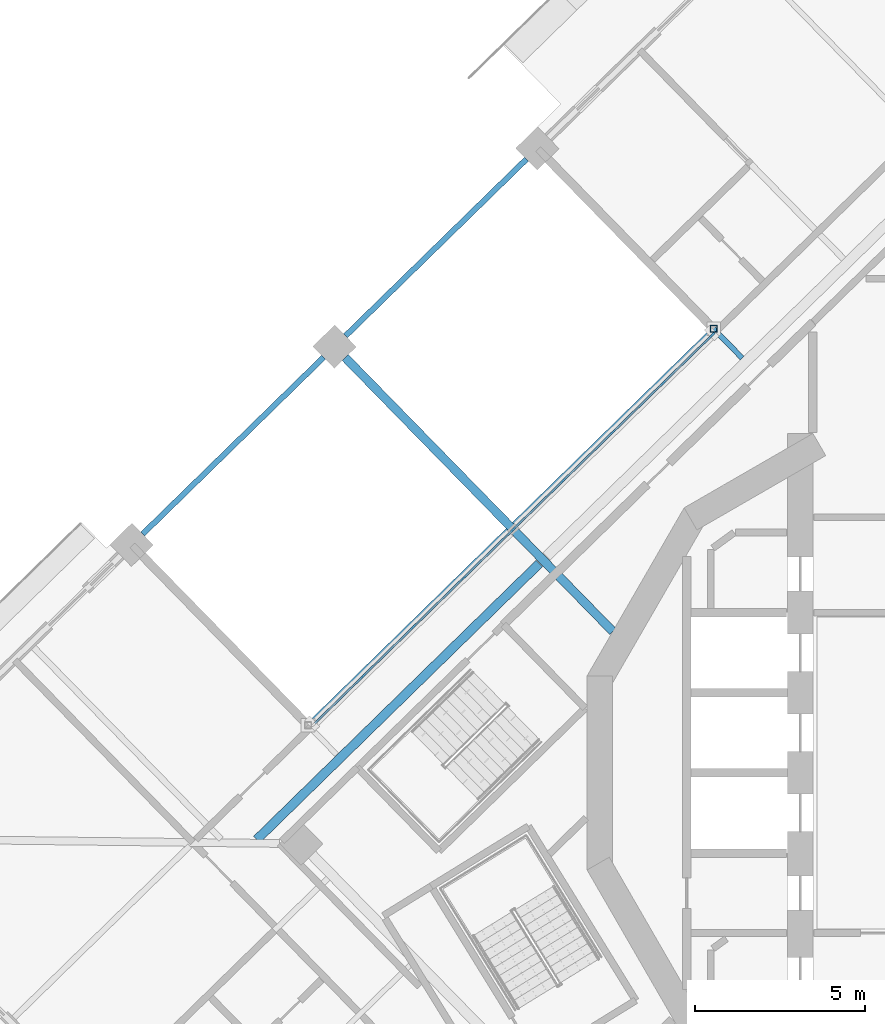
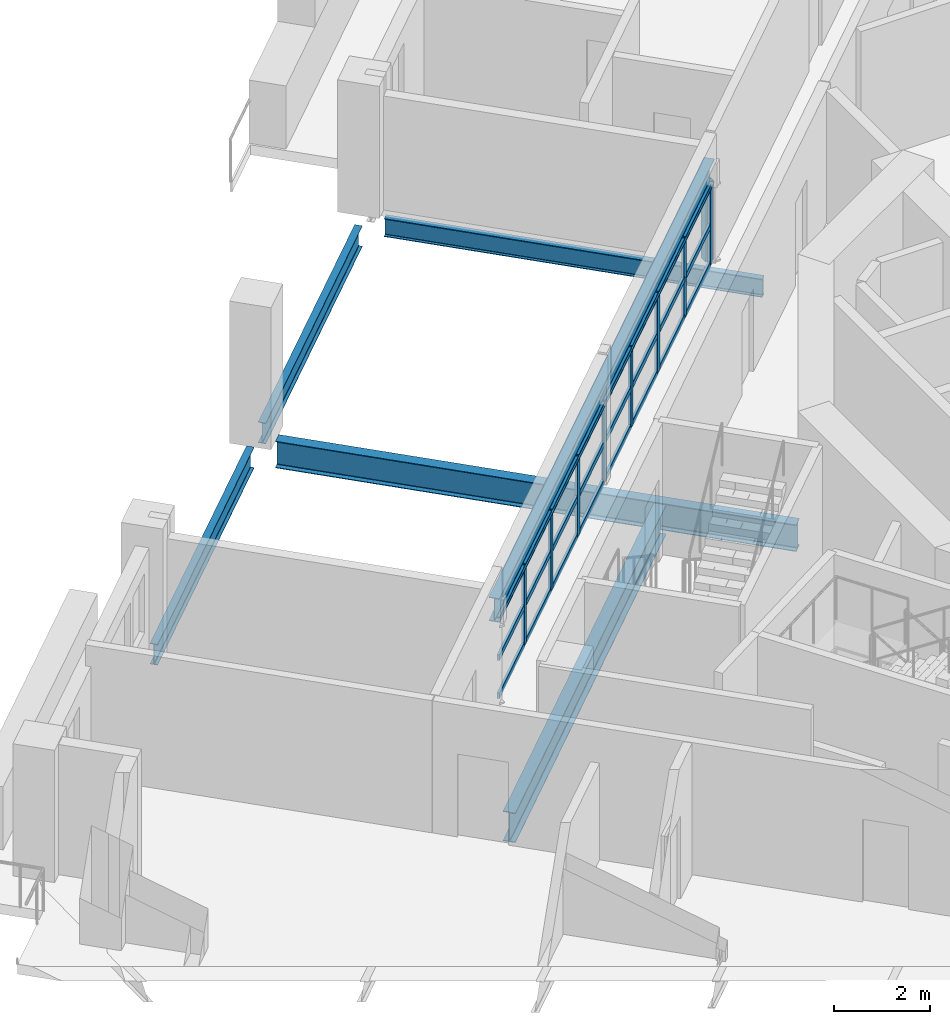
# One storey, part 4 of 21: 33 members, 6 beams, 1 element without a shape of its own.
"""IFC4 building model written with IfcOpenShell, lengths in metres."""

import ifcopenshell
import ifcopenshell.guid

model = None  # the IFC model being written
_history = None  # IfcOwnerHistory: only IFC2X3 demands one
_inside = {}  # id of a spatial element -> (the spatial element, [elements in it])
_under = {}  # id of a project, library or spatial element -> (it, [spatial elements below it])
_declared = {}  # id of a project -> (the project, [libraries it declares])
_typed = {}  # id of a type object -> (the type object, [elements of that type])
_made_of = {}  # id of a material, layer set ... -> (it, [elements and type objects made of it])


def new_model(schema):
    """Start an empty IFC model of exactly this schema.

    Asked for "IFC4X3", IfcOpenShell would pick the latest addendum, in which some entities
    have other attributes; the version numbers below select the first issue.
    IFC2X3 requires an IfcOwnerHistory on every rooted entity: one is made here for all.
    """
    global model, _history
    if schema == "IFC4X3":
        model = ifcopenshell.file(schema_version=(4, 3, 0, 0))
    else:
        model = ifcopenshell.file(schema=schema)
    _inside.clear()
    _under.clear()
    _declared.clear()
    _typed.clear()
    _made_of.clear()
    _history = None
    if model.schema == "IFC2X3":
        org = make("IfcOrganization", Name="unknown")
        user = make(
            "IfcPersonAndOrganization",
            ThePerson=make("IfcPerson", FamilyName="unknown"),
            TheOrganization=org,
        )
        app = make(
            "IfcApplication",
            ApplicationDeveloper=org,
            Version="unknown",
            ApplicationFullName="unknown",
            ApplicationIdentifier="unknown",
        )
        _history = make(
            "IfcOwnerHistory",
            OwningUser=user,
            OwningApplication=app,
            ChangeAction="ADDED",
            CreationDate=0,
        )
    return model


def make(cls, **values):
    """One entity of the class cls with the attributes given. An attribute that is None is left unset."""
    return model.create_entity(
        cls, **{name: value for name, value in values.items() if value is not None}
    )


def rooted(cls, **values):
    """An entity with a GlobalId (a new one), such as an element, a storey or a relation."""
    return make(cls, GlobalId=ifcopenshell.guid.new(), OwnerHistory=_history, **values)


def si_unit(unit_type, name, prefix=None):
    """IfcSIUnit, for example si_unit("LENGTHUNIT", "METRE", prefix="MILLI")."""
    return make("IfcSIUnit", UnitType=unit_type, Prefix=prefix, Name=name)


def assignment(units):
    """IfcUnitAssignment: the units of a project."""
    return None if units is None else make("IfcUnitAssignment", Units=units)


def point(xyz):
    """IfcCartesianPoint."""
    return None if xyz is None else make("IfcCartesianPoint", Coordinates=xyz)


def direction(xyz):
    """IfcDirection."""
    return None if xyz is None else make("IfcDirection", DirectionRatios=xyz)


def frame(location, z_axis=None, x_axis=None):
    """IfcAxis2Placement3D, a coordinate frame: its origin and axes. An axis left out is left unset."""
    return make(
        "IfcAxis2Placement3D",
        Location=point(location),
        Axis=direction(z_axis),
        RefDirection=direction(x_axis),
    )


def frame_2d(location, x_axis=None):
    """IfcAxis2Placement2D, a coordinate frame in the plane: its origin and x axis."""
    return make(
        "IfcAxis2Placement2D", Location=point(location), RefDirection=direction(x_axis)
    )


def origin():
    """The frame at (0, 0, 0) with its axes left unset."""
    return frame((0.0, 0.0, 0.0))


def origin_2d():
    """The frame at (0, 0) in the plane with its x axis left unset."""
    return frame_2d((0.0, 0.0))


def place(relative_to, where):
    """IfcLocalPlacement: puts the frame where relative to a parent placement (None: the world)."""
    return make(
        "IfcLocalPlacement", PlacementRelTo=relative_to, RelativePlacement=where
    )


def context(
    kind, dimensions, precision=None, world=None, true_north=None, identifier=None
):
    """IfcGeometricRepresentationContext, for example the 3D "Model" context."""
    return make(
        "IfcGeometricRepresentationContext",
        ContextIdentifier=identifier,
        ContextType=kind,
        CoordinateSpaceDimension=dimensions,
        Precision=precision,
        WorldCoordinateSystem=world,
        TrueNorth=true_north,
    )


def subcontext(parent, identifier, kind, view, scale=None):
    """IfcGeometricRepresentationSubContext, for example "Body" below "Model"."""
    return make(
        "IfcGeometricRepresentationSubContext",
        ContextIdentifier=identifier,
        ContextType=kind,
        ParentContext=parent,
        TargetScale=scale,
        TargetView=view,
    )


def project(units=None, contexts=None):
    """IfcProject with its units and contexts."""
    return rooted(
        "IfcProject",
        Name="project",
        RepresentationContexts=contexts,
        UnitsInContext=assignment(units),
    )


def spatial(cls, under=None, at=None, **own):
    """A site, building, storey or space (cls), placed at a placement, below another one or the project."""
    s = rooted(cls, ObjectPlacement=at, **own)
    if under is not None:
        _under.setdefault(under.id(), (under, []))[1].append(s)
    return s


def profile(cls, at=None, kind="AREA", **sizes):
    """A parametric profile (cls). Its sizes go by their IFC names, for example OverallWidth=200.0."""
    return make(cls, ProfileType=kind, Position=at, **sizes)


def rectangle(**sizes):
    """IfcRectangleProfileDef."""
    return profile("IfcRectangleProfileDef", **sizes)


def hollow_rectangle(**sizes):
    """IfcRectangleHollowProfileDef."""
    return profile("IfcRectangleHollowProfileDef", **sizes)


def i_section(**sizes):
    """IfcIShapeProfileDef."""
    return profile("IfcIShapeProfileDef", **sizes)


def extrude(swept, where, along, depth):
    """IfcExtrudedAreaSolid: the profile swept, set in the frame where, extruded along a direction by depth."""
    return make(
        "IfcExtrudedAreaSolid",
        SweptArea=swept,
        Position=where,
        ExtrudedDirection=direction(along),
        Depth=depth,
    )


def shape(context_of_items, identifier, shape_type, items):
    """IfcShapeRepresentation: the items that make up one representation, for example the "Body"."""
    return make(
        "IfcShapeRepresentation",
        ContextOfItems=context_of_items,
        RepresentationIdentifier=identifier,
        RepresentationType=shape_type,
        Items=items,
    )


def material(Name=None, Category=None):
    """IfcMaterial."""
    return make("IfcMaterial", Name=Name, Category=Category)


def material_profile(
    of_material, cross_section, Name=None, Category=None, Priority=None
):
    """IfcMaterialProfile: a cross section and its material."""
    return make(
        "IfcMaterialProfile",
        Name=Name,
        Material=of_material,
        Profile=cross_section,
        Priority=Priority,
        Category=Category,
    )


def profile_set(profiles, Name=None, composite=None):
    """IfcMaterialProfileSet."""
    return make(
        "IfcMaterialProfileSet",
        Name=Name,
        MaterialProfiles=profiles,
        CompositeProfile=composite,
    )


def made_of(thing, what):
    """Note that an element or type object is made of a material, layer set ...; save() writes the relation."""
    if what is not None:
        _made_of.setdefault(what.id(), (what, []))[1].append(thing)
    return thing


def type_object(cls, material=None, **own):
    """A type object (cls), such as IfcWallType, which elements share."""
    return made_of(rooted(cls, **own), material)


def element(
    cls,
    number,
    at=None,
    inside=None,
    cuts=None,
    type_object=None,
    material=None,
    context=None,
    identifier="Body",
    shape_type=None,
    held_by="IfcProductDefinitionShape",
    body=None,
    shapes=None,
    **own,
):
    """One element of the class cls, such as IfcWall. Its Tag is "e" and its number.

    at: its placement. inside: the storey or other place that contains it. cuts: it is an
    opening in that element (IfcRelVoidsElement). A single representation is given by context,
    identifier, shape_type and body (its items); several are given by shapes. held_by: the class
    of the entity that holds the representations. save() writes the other relations.
    """
    e = rooted(cls, Tag="e%d" % number, ObjectPlacement=at, **own)
    if body is not None:
        shapes = [shape(context, identifier, shape_type, body)]
    if shapes is not None:
        e.Representation = make(held_by, Representations=shapes)
    if inside is not None:
        _inside.setdefault(inside.id(), (inside, []))[1].append(e)
    if cuts is not None:
        rooted(
            "IfcRelVoidsElement", RelatingBuildingElement=cuts, RelatedOpeningElement=e
        )
    if type_object is not None:
        _typed.setdefault(type_object.id(), (type_object, []))[1].append(e)
    return made_of(e, material)


def aggregate(whole, parts):
    """IfcRelAggregates: a whole, such as a stair, and the parts it consists of."""
    return rooted("IfcRelAggregates", RelatingObject=whole, RelatedObjects=parts)


def save(model, path):
    """Write the relations noted so far, then the file.

    IfcRelAggregates (storeys below a building ...), IfcRelContainedInSpatialStructure (elements
    in a storey), IfcRelDefinesByType, IfcRelAssociatesMaterial and IfcRelDeclares: one each for
    every whole, place, type object, material and project.
    """
    for whole, parts in _under.values():
        aggregate(whole, parts)
    for where, things in _inside.values():
        rooted(
            "IfcRelContainedInSpatialStructure",
            RelatedElements=things,
            RelatingStructure=where,
        )
    for kind, things in _typed.values():
        rooted("IfcRelDefinesByType", RelatedObjects=things, RelatingType=kind)
    for what, things in _made_of.values():
        rooted("IfcRelAssociatesMaterial", RelatedObjects=things, RelatingMaterial=what)
    for by, libraries in _declared.values():
        rooted("IfcRelDeclares", RelatingContext=by, RelatedDefinitions=libraries)
    model.write(path)


model = new_model("IFC4")

# Units and contexts
model_context = context("Model", 3, precision=1e-05, world=origin(), true_north=direction((0.0, 1.0)))
body_context = subcontext(model_context, "Body", "Model", "MODEL_VIEW")
ifc_project = project(units=[si_unit("LENGTHUNIT", "METRE"), si_unit("AREAUNIT", "SQUARE_METRE"), si_unit("VOLUMEUNIT", "CUBIC_METRE"), si_unit("PLANEANGLEUNIT", "RADIAN"), si_unit("MASSUNIT", "GRAM", prefix="KILO")], contexts=[model_context])

# Site, building, storey
site_placement = place(None, origin())
site = spatial("IfcSite", under=ifc_project, at=site_placement, CompositionType="ELEMENT")
building_placement = place(site_placement, origin())
building = spatial("IfcBuilding", under=site, at=building_placement, Name="Cantera Rosa Tower", CompositionType="ELEMENT")
storey_placement = place(building_placement, frame((0.0, 0.0, 230.60009765625)))
storey = spatial("IfcBuildingStorey", under=building, at=storey_placement, Name="L50", CompositionType="ELEMENT", Elevation=230.60009765625)

# Curtain wall, members
ifc_material_1 = material(Name="Aluminium frame with clear glass", Category="aluminium")
curtain_wall_type = type_object("IfcCurtainWallType", Name="CW1 TERRACE POCKET GLAZING", PredefinedType="NOTDEFINED", material=ifc_material_1)
curtain_wall_placement = place(storey_placement, origin())
curtain_wall = element("IfcCurtainWall", 1, at=curtain_wall_placement, inside=storey, type_object=curtain_wall_type, Name="CW1 CW1", PredefinedType="NOTDEFINED")
ifc_material_2 = material(Name="Anodised bronze aluminium", Category="aluminium")
ifc_material_profile_1 = material_profile(ifc_material_2, rectangle(XDim=0.06005859375, YDim=0.179931640625, at=origin_2d()), Name="CW-MULLION 60x180 POCKET")
ifc_profile_set_1 = profile_set([ifc_material_profile_1], Name="Anodised bronze aluminium")
member_type_1 = type_object("IfcMemberType", Name="CW-MULLION 60x180 POCKET", PredefinedType="MULLION", material=ifc_profile_set_1)
member_1_placement = place(storey_placement, frame((-6.953857421875, 12.8486328125, 0.0), z_axis=(0.0, 0.0, 1.0), x_axis=(0.698831540401, -0.715286291034, 0.0)))
member_1 = element("IfcMember", 2, at=member_1_placement, type_object=member_type_1, Name="CW1 mullion 1", PredefinedType="MULLION", context=body_context, shape_type="SweptSolid", body=[
    extrude(rectangle(XDim=0.06005859375, YDim=0.179931640625, at=origin_2d()), origin(), (0.0, 0.0, 1.0), 1.98779296875),
])
member_2_placement = place(storey_placement, frame((-8.39794921875, 11.437744140625, 0.0), z_axis=(0.0, 0.0, 1.0), x_axis=(0.698831540401, -0.715286291034, 0.0)))
member_2 = element("IfcMember", 3, at=member_2_placement, type_object=member_type_1, Name="CW1 mullion 2", PredefinedType="MULLION", context=body_context, shape_type="SweptSolid", body=[
    extrude(rectangle(XDim=0.06005859375, YDim=0.179931640625, at=origin_2d()), origin(), (0.0, 0.0, 1.0), 1.98779296875),
])
member_3_placement = place(storey_placement, frame((-9.86328125, 10.006103515625, 0.0), z_axis=(0.0, 0.0, 1.0), x_axis=(0.698831540401, -0.715286291034, 0.0)))
member_3 = element("IfcMember", 4, at=member_3_placement, type_object=member_type_1, Name="CW1 mullion 3", PredefinedType="MULLION", context=body_context, shape_type="SweptSolid", body=[
    extrude(rectangle(XDim=0.06005859375, YDim=0.179931640625, at=origin_2d()), origin(), (0.0, 0.0, 1.0), 1.98779296875),
])
member_4_placement = place(storey_placement, frame((-11.32861328125, 8.574462890625, 0.0), z_axis=(0.0, 0.0, 1.0), x_axis=(0.698831540401, -0.715286291034, 0.0)))
member_4 = element("IfcMember", 5, at=member_4_placement, type_object=member_type_1, Name="CW1 mullion 4", PredefinedType="MULLION", context=body_context, shape_type="SweptSolid", body=[
    extrude(rectangle(XDim=0.06005859375, YDim=0.179931640625, at=origin_2d()), origin(), (0.0, 0.0, 1.0), 1.98779296875),
])
member_5_placement = place(storey_placement, frame((-12.794189453125, 7.142578125, 0.0), z_axis=(0.0, 0.0, 1.0), x_axis=(0.698831540401, -0.715286291034, 0.0)))
member_5 = element("IfcMember", 6, at=member_5_placement, type_object=member_type_1, Name="CW1 mullion 5", PredefinedType="MULLION", context=body_context, shape_type="SweptSolid", body=[
    extrude(rectangle(XDim=0.06005859375, YDim=0.179931640625, at=origin_2d()), origin(), (0.0, 0.0, 1.0), 1.98779296875),
])
member_6_placement = place(storey_placement, frame((-14.259521484375, 5.7109375, 0.0), z_axis=(0.0, 0.0, 1.0), x_axis=(0.698831540401, -0.715286291034, 0.0)))
member_6 = element("IfcMember", 7, at=member_6_placement, type_object=member_type_1, Name="CW1 mullion 6", PredefinedType="MULLION", context=body_context, shape_type="SweptSolid", body=[
    extrude(rectangle(XDim=0.06005859375, YDim=0.179931640625, at=origin_2d()), origin(), (0.0, 0.0, 1.0), 1.98779296875),
])
member_7_placement = place(storey_placement, frame((-15.72509765625, 4.279052734375, 0.0), z_axis=(0.0, 0.0, 1.0), x_axis=(0.698831540401, -0.715286291034, 0.0)))
member_7 = element("IfcMember", 8, at=member_7_placement, type_object=member_type_1, Name="CW1 mullion 7", PredefinedType="MULLION", context=body_context, shape_type="SweptSolid", body=[
    extrude(rectangle(XDim=0.06005859375, YDim=0.179931640625, at=origin_2d()), origin(), (0.0, 0.0, 1.0), 1.98779296875),
])
member_8_placement = place(storey_placement, frame((-17.1904296875, 2.847412109375, 0.0), z_axis=(0.0, 0.0, 1.0), x_axis=(0.698831540401, -0.715286291034, 0.0)))
member_8 = element("IfcMember", 9, at=member_8_placement, type_object=member_type_1, Name="CW1 mullion 8", PredefinedType="MULLION", context=body_context, shape_type="SweptSolid", body=[
    extrude(rectangle(XDim=0.06005859375, YDim=0.179931640625, at=origin_2d()), origin(), (0.0, 0.0, 1.0), 1.98779296875),
])
ifc_material_3 = material(Name="Anodised bronze aluminium", Category="aluminium")
ifc_material_profile_2 = material_profile(ifc_material_3, rectangle(XDim=0.06005859375, YDim=0.139892578125, at=origin_2d()), Name="CW-TRANSOM 60x140 POCKET")
ifc_profile_set_2 = profile_set([ifc_material_profile_2], Name="Anodised bronze aluminium")
member_type_2 = type_object("IfcMemberType", Name="CW-TRANSOM 60x140 POCKET", PredefinedType="USERDEFINED", material=ifc_profile_set_2)
member_9_placement = place(storey_placement, frame((-6.975341796875, 12.82763671875, 0.02978515625), z_axis=(-0.715284895398, -0.698832968896, 0.0), x_axis=(0.698832968896, -0.715284895398, 0.0)))
member_9 = element("IfcMember", 10, at=member_9_placement, type_object=member_type_2, Name="CW1 transom 1.1", ObjectType="TRANSOM", PredefinedType="USERDEFINED", context=body_context, shape_type="SweptSolid", body=[
    extrude(rectangle(XDim=0.06005859375, YDim=0.139892578125, at=origin_2d()), origin(), (0.0, 0.0, 1.0), 1.958740234375),
])
member_10_placement = place(storey_placement, frame((-6.975341796875, 12.82763671875, 0.993896484375), z_axis=(-0.715284895398, -0.698832968896, 0.0), x_axis=(0.698832968896, -0.715284895398, 0.0)))
member_10 = element("IfcMember", 11, at=member_10_placement, type_object=member_type_2, Name="CW1 transom 1.2", ObjectType="TRANSOM", PredefinedType="USERDEFINED", context=body_context, shape_type="SweptSolid", body=[
    extrude(rectangle(XDim=0.06005859375, YDim=0.139892578125, at=origin_2d()), origin(), (0.0, 0.0, 1.0), 1.958740234375),
])
member_11_placement = place(storey_placement, frame((-6.975341796875, 12.82763671875, 1.9580078125), z_axis=(-0.715284895398, -0.698832968896, 0.0), x_axis=(0.698832968896, -0.715284895398, 0.0)))
member_11 = element("IfcMember", 12, at=member_11_placement, type_object=member_type_2, Name="CW1 transom 1.3", ObjectType="TRANSOM", PredefinedType="USERDEFINED", context=body_context, shape_type="SweptSolid", body=[
    extrude(rectangle(XDim=0.06005859375, YDim=0.139892578125, at=origin_2d()), origin(), (0.0, 0.0, 1.0), 1.958740234375),
])
member_12_placement = place(storey_placement, frame((-8.419189453125, 11.416748046875, 0.02978515625), z_axis=(-0.715344782477, -0.6987716667, 0.0), x_axis=(0.6987716667, -0.715344782477, 0.0)))
member_12 = element("IfcMember", 13, at=member_12_placement, type_object=member_type_2, Name="CW1 transom 2.1", ObjectType="TRANSOM", PredefinedType="USERDEFINED", context=body_context, shape_type="SweptSolid", body=[
    extrude(rectangle(XDim=0.06005859375, YDim=0.139892578125, at=origin_2d()), origin(), (0.0, 0.0, 1.0), 1.98876953125),
])
member_13_placement = place(storey_placement, frame((-8.419189453125, 11.416748046875, 0.993896484375), z_axis=(-0.715344782477, -0.6987716667, 0.0), x_axis=(0.6987716667, -0.715344782477, 0.0)))
member_13 = element("IfcMember", 14, at=member_13_placement, type_object=member_type_2, Name="CW1 transom 2.2", ObjectType="TRANSOM", PredefinedType="USERDEFINED", context=body_context, shape_type="SweptSolid", body=[
    extrude(rectangle(XDim=0.06005859375, YDim=0.139892578125, at=origin_2d()), origin(), (0.0, 0.0, 1.0), 1.98876953125),
])
member_14_placement = place(storey_placement, frame((-8.419189453125, 11.416748046875, 1.9580078125), z_axis=(-0.715344782477, -0.6987716667, 0.0), x_axis=(0.6987716667, -0.715344782477, 0.0)))
member_14 = element("IfcMember", 15, at=member_14_placement, type_object=member_type_2, Name="CW1 transom 2.3", ObjectType="TRANSOM", PredefinedType="USERDEFINED", context=body_context, shape_type="SweptSolid", body=[
    extrude(rectangle(XDim=0.06005859375, YDim=0.139892578125, at=origin_2d()), origin(), (0.0, 0.0, 1.0), 1.98876953125),
])
member_15_placement = place(storey_placement, frame((-9.884765625, 9.985107421875, 0.02978515625), z_axis=(-0.715283419933, -0.698834479093, 0.0), x_axis=(0.698834479093, -0.715283419933, 0.0)))
member_15 = element("IfcMember", 16, at=member_15_placement, type_object=member_type_2, Name="CW1 transom 3.1", ObjectType="TRANSOM", PredefinedType="USERDEFINED", context=body_context, shape_type="SweptSolid", body=[
    extrude(rectangle(XDim=0.06005859375, YDim=0.139892578125, at=origin_2d()), origin(), (0.0, 0.0, 1.0), 1.98876953125),
])
member_16_placement = place(storey_placement, frame((-9.884765625, 9.985107421875, 0.993896484375), z_axis=(-0.715283419933, -0.698834479093, 0.0), x_axis=(0.698834479093, -0.715283419933, 0.0)))
member_16 = element("IfcMember", 17, at=member_16_placement, type_object=member_type_2, Name="CW1 transom 3.2", ObjectType="TRANSOM", PredefinedType="USERDEFINED", context=body_context, shape_type="SweptSolid", body=[
    extrude(rectangle(XDim=0.06005859375, YDim=0.139892578125, at=origin_2d()), origin(), (0.0, 0.0, 1.0), 1.98876953125),
])
member_17_placement = place(storey_placement, frame((-9.884765625, 9.985107421875, 1.9580078125), z_axis=(-0.715283419933, -0.698834479093, 0.0), x_axis=(0.698834479093, -0.715283419933, 0.0)))
member_17 = element("IfcMember", 18, at=member_17_placement, type_object=member_type_2, Name="CW1 transom 3.3", ObjectType="TRANSOM", PredefinedType="USERDEFINED", context=body_context, shape_type="SweptSolid", body=[
    extrude(rectangle(XDim=0.06005859375, YDim=0.139892578125, at=origin_2d()), origin(), (0.0, 0.0, 1.0), 1.98876953125),
])
member_18_placement = place(storey_placement, frame((-11.35009765625, 8.553466796875, 0.02978515625), z_axis=(-0.715283419933, -0.698834479093, 0.0), x_axis=(0.698834479093, -0.715283419933, 0.0)))
member_18 = element("IfcMember", 19, at=member_18_placement, type_object=member_type_2, Name="CW1 transom 4.1", ObjectType="TRANSOM", PredefinedType="USERDEFINED", context=body_context, shape_type="SweptSolid", body=[
    extrude(rectangle(XDim=0.06005859375, YDim=0.139892578125, at=origin_2d()), origin(), (0.0, 0.0, 1.0), 1.98876953125),
])
member_19_placement = place(storey_placement, frame((-11.35009765625, 8.553466796875, 0.993896484375), z_axis=(-0.715283419933, -0.698834479093, 0.0), x_axis=(0.698834479093, -0.715283419933, 0.0)))
member_19 = element("IfcMember", 20, at=member_19_placement, type_object=member_type_2, Name="CW1 transom 4.2", ObjectType="TRANSOM", PredefinedType="USERDEFINED", context=body_context, shape_type="SweptSolid", body=[
    extrude(rectangle(XDim=0.06005859375, YDim=0.139892578125, at=origin_2d()), origin(), (0.0, 0.0, 1.0), 1.98876953125),
])
member_20_placement = place(storey_placement, frame((-11.35009765625, 8.553466796875, 1.9580078125), z_axis=(-0.715283419933, -0.698834479093, 0.0), x_axis=(0.698834479093, -0.715283419933, 0.0)))
member_20 = element("IfcMember", 21, at=member_20_placement, type_object=member_type_2, Name="CW1 transom 4.3", ObjectType="TRANSOM", PredefinedType="USERDEFINED", context=body_context, shape_type="SweptSolid", body=[
    extrude(rectangle(XDim=0.06005859375, YDim=0.139892578125, at=origin_2d()), origin(), (0.0, 0.0, 1.0), 1.98876953125),
])
member_21_placement = place(storey_placement, frame((-12.815673828125, 7.12158203125, 0.02978515625), z_axis=(-0.715284831236, -0.698833034568, 0.0), x_axis=(0.698833034568, -0.715284831236, 0.0)))
member_21 = element("IfcMember", 22, at=member_21_placement, type_object=member_type_2, Name="CW1 transom 5.1", ObjectType="TRANSOM", PredefinedType="USERDEFINED", context=body_context, shape_type="SweptSolid", body=[
    extrude(rectangle(XDim=0.06005859375, YDim=0.139892578125, at=origin_2d()), origin(), (0.0, 0.0, 1.0), 1.988525390625),
])
member_22_placement = place(storey_placement, frame((-12.815673828125, 7.12158203125, 0.993896484375), z_axis=(-0.715284831236, -0.698833034568, 0.0), x_axis=(0.698833034568, -0.715284831236, 0.0)))
member_22 = element("IfcMember", 23, at=member_22_placement, type_object=member_type_2, Name="CW1 transom 5.2", ObjectType="TRANSOM", PredefinedType="USERDEFINED", context=body_context, shape_type="SweptSolid", body=[
    extrude(rectangle(XDim=0.06005859375, YDim=0.139892578125, at=origin_2d()), origin(), (0.0, 0.0, 1.0), 1.988525390625),
])
member_23_placement = place(storey_placement, frame((-12.815673828125, 7.12158203125, 1.9580078125), z_axis=(-0.715284831236, -0.698833034568, 0.0), x_axis=(0.698833034568, -0.715284831236, 0.0)))
member_23 = element("IfcMember", 24, at=member_23_placement, type_object=member_type_2, Name="CW1 transom 5.3", ObjectType="TRANSOM", PredefinedType="USERDEFINED", context=body_context, shape_type="SweptSolid", body=[
    extrude(rectangle(XDim=0.06005859375, YDim=0.139892578125, at=origin_2d()), origin(), (0.0, 0.0, 1.0), 1.988525390625),
])
member_24_placement = place(storey_placement, frame((-14.281005859375, 5.68994140625, 0.02978515625), z_axis=(-0.715283419933, -0.698834479093, 0.0), x_axis=(0.698834479093, -0.715283419933, 0.0)))
member_24 = element("IfcMember", 25, at=member_24_placement, type_object=member_type_2, Name="CW1 transom 6.1", ObjectType="TRANSOM", PredefinedType="USERDEFINED", context=body_context, shape_type="SweptSolid", body=[
    extrude(rectangle(XDim=0.06005859375, YDim=0.139892578125, at=origin_2d()), origin(), (0.0, 0.0, 1.0), 1.98876953125),
])
member_25_placement = place(storey_placement, frame((-14.281005859375, 5.68994140625, 0.993896484375), z_axis=(-0.715283419933, -0.698834479093, 0.0), x_axis=(0.698834479093, -0.715283419933, 0.0)))
member_25 = element("IfcMember", 26, at=member_25_placement, type_object=member_type_2, Name="CW1 transom 6.2", ObjectType="TRANSOM", PredefinedType="USERDEFINED", context=body_context, shape_type="SweptSolid", body=[
    extrude(rectangle(XDim=0.06005859375, YDim=0.139892578125, at=origin_2d()), origin(), (0.0, 0.0, 1.0), 1.98876953125),
])
member_26_placement = place(storey_placement, frame((-14.281005859375, 5.68994140625, 1.9580078125), z_axis=(-0.715283419933, -0.698834479093, 0.0), x_axis=(0.698834479093, -0.715283419933, 0.0)))
member_26 = element("IfcMember", 27, at=member_26_placement, type_object=member_type_2, Name="CW1 transom 6.3", ObjectType="TRANSOM", PredefinedType="USERDEFINED", context=body_context, shape_type="SweptSolid", body=[
    extrude(rectangle(XDim=0.06005859375, YDim=0.139892578125, at=origin_2d()), origin(), (0.0, 0.0, 1.0), 1.98876953125),
])
member_27_placement = place(storey_placement, frame((-15.74658203125, 4.25830078125, 0.02978515625), z_axis=(-0.715223463058, -0.698895841948, 0.0), x_axis=(0.698895841948, -0.715223463058, 0.0)))
member_27 = element("IfcMember", 28, at=member_27_placement, type_object=member_type_2, Name="CW1 transom 7.1", ObjectType="TRANSOM", PredefinedType="USERDEFINED", context=body_context, shape_type="SweptSolid", body=[
    extrude(rectangle(XDim=0.06005859375, YDim=0.139892578125, at=origin_2d()), origin(), (0.0, 0.0, 1.0), 1.98876953125),
])
member_28_placement = place(storey_placement, frame((-15.74658203125, 4.25830078125, 0.993896484375), z_axis=(-0.715223463058, -0.698895841948, 0.0), x_axis=(0.698895841948, -0.715223463058, 0.0)))
member_28 = element("IfcMember", 29, at=member_28_placement, type_object=member_type_2, Name="CW1 transom 7.2", ObjectType="TRANSOM", PredefinedType="USERDEFINED", context=body_context, shape_type="SweptSolid", body=[
    extrude(rectangle(XDim=0.06005859375, YDim=0.139892578125, at=origin_2d()), origin(), (0.0, 0.0, 1.0), 1.98876953125),
])
member_29_placement = place(storey_placement, frame((-15.74658203125, 4.25830078125, 1.9580078125), z_axis=(-0.715223463058, -0.698895841948, 0.0), x_axis=(0.698895841948, -0.715223463058, 0.0)))
member_29 = element("IfcMember", 30, at=member_29_placement, type_object=member_type_2, Name="CW1 transom 7.3", ObjectType="TRANSOM", PredefinedType="USERDEFINED", context=body_context, shape_type="SweptSolid", body=[
    extrude(rectangle(XDim=0.06005859375, YDim=0.139892578125, at=origin_2d()), origin(), (0.0, 0.0, 1.0), 1.98876953125),
])
member_30_placement = place(storey_placement, frame((-17.2119140625, 2.826416015625, 0.02978515625), z_axis=(-0.715284895398, -0.698832968896, 0.0), x_axis=(0.698832968896, -0.715284895398, 0.0)))
member_30 = element("IfcMember", 31, at=member_30_placement, type_object=member_type_2, Name="CW1 transom 8.1", ObjectType="TRANSOM", PredefinedType="USERDEFINED", context=body_context, shape_type="SweptSolid", body=[
    extrude(rectangle(XDim=0.06005859375, YDim=0.139892578125, at=origin_2d()), origin(), (0.0, 0.0, 1.0), 1.958740234375),
])
member_31_placement = place(storey_placement, frame((-17.2119140625, 2.826416015625, 0.993896484375), z_axis=(-0.715284895398, -0.698832968896, 0.0), x_axis=(0.698832968896, -0.715284895398, 0.0)))
member_31 = element("IfcMember", 32, at=member_31_placement, type_object=member_type_2, Name="CW1 transom 8.2", ObjectType="TRANSOM", PredefinedType="USERDEFINED", context=body_context, shape_type="SweptSolid", body=[
    extrude(rectangle(XDim=0.06005859375, YDim=0.139892578125, at=origin_2d()), origin(), (0.0, 0.0, 1.0), 1.958740234375),
])
member_32_placement = place(storey_placement, frame((-17.2119140625, 2.826416015625, 1.9580078125), z_axis=(-0.715284895398, -0.698832968896, 0.0), x_axis=(0.698832968896, -0.715284895398, 0.0)))
member_32 = element("IfcMember", 33, at=member_32_placement, type_object=member_type_2, Name="CW1 transom 8.3", ObjectType="TRANSOM", PredefinedType="USERDEFINED", context=body_context, shape_type="SweptSolid", body=[
    extrude(rectangle(XDim=0.06005859375, YDim=0.139892578125, at=origin_2d()), origin(), (0.0, 0.0, 1.0), 1.958740234375),
])
aggregate(curtain_wall, [member_1, member_2, member_3, member_4, member_5, member_6, member_7, member_8, member_9, member_10, member_11, member_12, member_13, member_14, member_15, member_16, member_17, member_18, member_19, member_20, member_21, member_22, member_23, member_24, member_25, member_26, member_27, member_28, member_29, member_30, member_31, member_32])

# Member
ifc_material_4 = material(Name="Steel ASTM A992 (Fy 345 MPa)", Category="steel")
ifc_material_profile_3 = material_profile(ifc_material_4, hollow_rectangle(XDim=0.199951171875, YDim=0.199951171875, WallThickness=0.010009765625, at=origin_2d()), Name="LINTEL POST RHS 200x200x10")
ifc_profile_set_3 = profile_set([ifc_material_profile_3], Name="Steel ASTM A992 (Fy 345 MPa)")
member_type_3 = type_object("IfcMemberType", Name="LINTEL POST RHS 200x200x10", PredefinedType="USERDEFINED", material=ifc_profile_set_3)
member_33_placement = place(storey_placement, frame((-6.912841796875, 13.0283203125, 0.0), z_axis=(0.0, 0.0, 1.0), x_axis=(1.0, 0.0, 0.0)))
element("IfcMember", 34, at=member_33_placement, inside=storey, type_object=member_type_3, Name="LINTEL POST L50-1", ObjectType="LINTEL POST", PredefinedType="USERDEFINED", context=body_context, shape_type="SweptSolid", body=[
    extrude(hollow_rectangle(XDim=0.199951171875, YDim=0.199951171875, WallThickness=0.010009765625, at=origin_2d()), origin(), (0.0, 0.0, 1.0), 1.989990234375),
])

# Beams
ifc_material_5 = material(Name="Steel ASTM A992 (Fy 345 MPa)", Category="steel")
ifc_material_profile_4 = material_profile(ifc_material_5, i_section(OverallWidth=0.154052734375, OverallDepth=0.4599609375, WebThickness=0.009033203125, FlangeThickness=0.015380859375, FilletRadius=0.01025390625, at=origin_2d()), Name="W460X68")
ifc_profile_set_4 = profile_set([ifc_material_profile_4], Name="Steel ASTM A992 (Fy 345 MPa)")
beam_type_1 = type_object("IfcBeamType", Name="STEEL BEAM W460X68", PredefinedType="BEAM", material=ifc_profile_set_4)
beam_1_placement = place(storey_placement, frame((-11.769775390625, 17.999755859375, -0.47998046875), z_axis=(0.698836133494, -0.715281803574, 0.0), x_axis=(0.715281803574, 0.698836133494, 0.0)))
element("IfcBeam", 35, at=beam_1_placement, inside=storey, type_object=beam_type_1, Name="G-Z4-06 L50", PredefinedType="BEAM", context=body_context, shape_type="SweptSolid", body=[
    extrude(i_section(OverallWidth=0.154052734375, OverallDepth=0.4599609375, WebThickness=0.009033203125, FlangeThickness=0.015380859375, FilletRadius=0.01025390625, at=origin_2d()), origin(), (0.0, 0.0, 1.0), 8.150146484375),
])
ifc_material_6 = material(Name="Steel ASTM A992 (Fy 345 MPa)", Category="steel")
ifc_material_profile_5 = material_profile(ifc_material_6, i_section(OverallWidth=0.22802734375, OverallDepth=0.60205078125, WebThickness=0.010498046875, FlangeThickness=0.014892578125, FilletRadius=0.0126953125, at=origin_2d()), Name="W610X101")
ifc_profile_set_5 = profile_set([ifc_material_profile_5], Name="Steel ASTM A992 (Fy 345 MPa)")
beam_type_2 = type_object("IfcBeamType", Name="STEEL BEAM W610X101", PredefinedType="BEAM", material=ifc_profile_set_5)
beam_2_placement = place(storey_placement, frame((-6.913818359375, 12.957763671875, 2.291015625), z_axis=(-0.715280768406, -0.698837193021, 0.0), x_axis=(0.698837193021, -0.715280768406, 0.0)))
element("IfcBeam", 36, at=beam_2_placement, inside=storey, type_object=beam_type_2, Name="LINTEL SL-L50", PredefinedType="BEAM", context=body_context, shape_type="SweptSolid", body=[
    extrude(i_section(OverallWidth=0.22802734375, OverallDepth=0.60205078125, WebThickness=0.010498046875, FlangeThickness=0.014892578125, FilletRadius=0.0126953125, at=origin_2d()), origin(), (0.0, 0.0, 1.0), 16.539794921875),
])
ifc_material_7 = material(Name="Steel ASTM A992 (Fy 345 MPa)", Category="steel")
ifc_material_profile_6 = material_profile(ifc_material_7, i_section(OverallWidth=0.25390625, OverallDepth=0.677978515625, WebThickness=0.01171875, FlangeThickness=0.016357421875, FilletRadius=0.01513671875, at=origin_2d()), Name="W690X125")
ifc_profile_set_6 = profile_set([ifc_material_profile_6], Name="Steel ASTM A992 (Fy 345 MPa)")
beam_type_3 = type_object("IfcBeamType", Name="STEEL BEAM W690X125", PredefinedType="BEAM", material=ifc_profile_set_6)
beam_3_placement = place(storey_placement, frame((-17.720947265625, 12.185302734375, -0.589111328125), z_axis=(0.698831358516, -0.715286468734, 0.0), x_axis=(0.715286468734, 0.698831358516, 0.0)))
element("IfcBeam", 37, at=beam_3_placement, inside=storey, type_object=beam_type_3, Name="G-Z4-07 L50", PredefinedType="BEAM", context=body_context, shape_type="SweptSolid", body=[
    extrude(i_section(OverallWidth=0.25390625, OverallDepth=0.677978515625, WebThickness=0.01171875, FlangeThickness=0.016357421875, FilletRadius=0.01513671875, at=origin_2d()), origin(), (0.0, 0.0, 1.0), 11.2314453125),
])
ifc_material_8 = material(Name="Steel ASTM A992 (Fy 345 MPa)", Category="steel")
ifc_material_profile_7 = material_profile(ifc_material_8, i_section(OverallWidth=0.26708984375, OverallDepth=0.75390625, WebThickness=0.01318359375, FlangeThickness=0.01708984375, FilletRadius=0.0166015625, at=origin_2d()), Name="W760X147")
ifc_profile_set_7 = profile_set([ifc_material_profile_7], Name="Steel ASTM A992 (Fy 345 MPa)")
beam_type_4 = type_object("IfcBeamType", Name="STEEL BEAM W760X147", PredefinedType="BEAM", material=ifc_profile_set_7)
beam_4_placement = place(storey_placement, frame((-20.318115234375, -1.955810546875, -0.627197265625), z_axis=(0.715284592672, 0.698833278749, 0.0), x_axis=(-0.698833278749, 0.715284592672, 0.0)))
element("IfcBeam", 38, at=beam_4_placement, inside=storey, type_object=beam_type_4, Name="RB-Z4-01 L50", PredefinedType="BEAM", context=body_context, shape_type="SweptSolid", body=[
    extrude(i_section(OverallWidth=0.26708984375, OverallDepth=0.75390625, WebThickness=0.01318359375, FlangeThickness=0.01708984375, FilletRadius=0.0166015625, at=origin_2d()), origin(), (0.0, 0.0, 1.0), 11.590087890625),
])
ifc_material_9 = material(Name="Steel ASTM A992 (Fy 345 MPa)", Category="steel")
ifc_material_profile_8 = material_profile(ifc_material_9, i_section(OverallWidth=0.166015625, OverallDepth=0.528076171875, WebThickness=0.009765625, FlangeThickness=0.013671875, FilletRadius=0.0126953125, at=origin_2d()), Name="W530X74")
ifc_profile_set_8 = profile_set([ifc_material_profile_8], Name="Steel ASTM A992 (Fy 345 MPa)")
beam_type_5 = type_object("IfcBeamType", Name="STEEL SPANDREL BEAM W530X74", PredefinedType="SPANDREL", material=ifc_profile_set_8)
for number, where, z_axis, x_axis, name in (
    (39, (-12.406005859375, 18.007080078125, -0.51416015625), (-0.715300826176, -0.698816662703, 0.0), (0.698816662703, -0.715300826176, 0.0), "EB-Z4-10 L50"),
    (40, (-18.357177734375, 12.19287109375, -0.51416015625), (-0.715300826176, -0.698816662703, 0.0), (0.698816662703, -0.715300826176, 0.0), "EB-Z4-11 L50"),
):
    element("IfcBeam", number, at=place(storey_placement, frame(where, z_axis=z_axis, x_axis=x_axis)), inside=storey, type_object=beam_type_5, Name=name, PredefinedType="SPANDREL", context=body_context, shape_type="SweptSolid", body=[
        extrude(i_section(OverallWidth=0.166015625, OverallDepth=0.528076171875, WebThickness=0.009765625, FlangeThickness=0.013671875, FilletRadius=0.0126953125, at=origin_2d()), origin(), (0.0, 0.0, 1.0), 7.420166015625),
    ])

save(model, "model.ifc")
